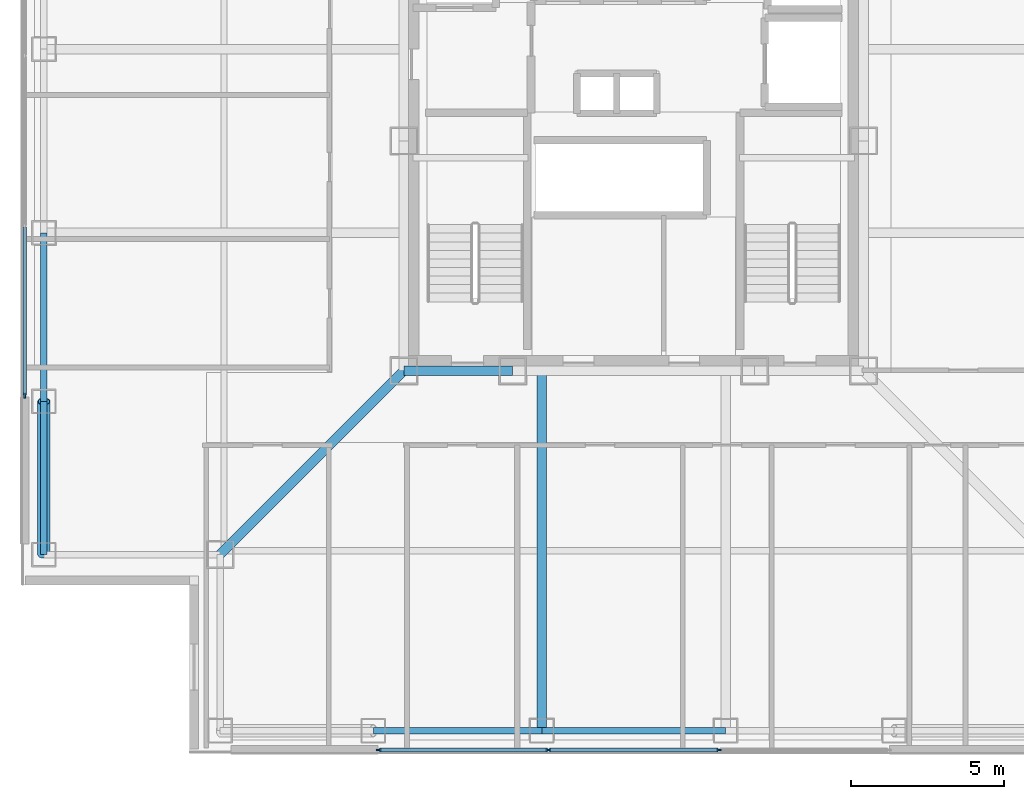
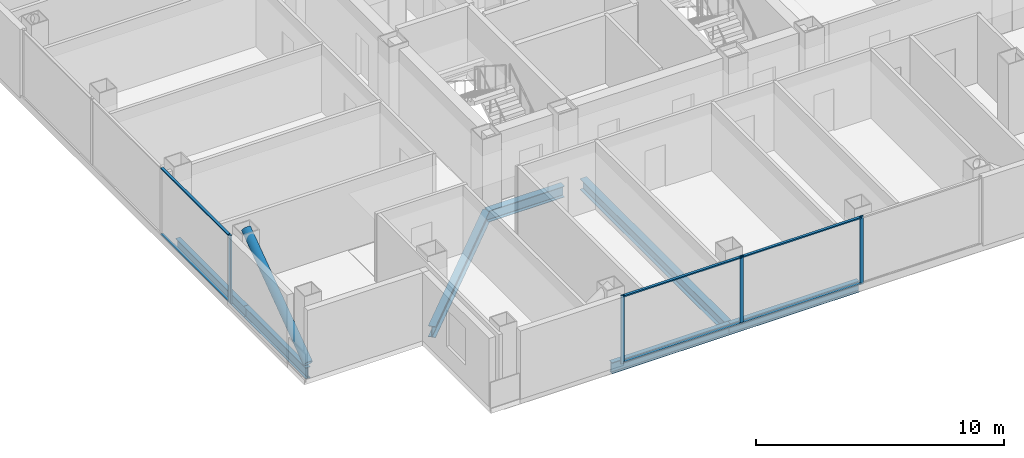
# One storey, part 2 of 17: 11 members, 7 beams, 2 elements without a shape of their own.
"""IFC4 building model written with IfcOpenShell, lengths in metres."""

from ifc_helpers import new_model, si_unit, direction, frame, origin, origin_2d, place, context, subcontext, project, spatial, rectangle, hollow_circle, i_section, extrude, material, layer, layer_set, material_profile, profile_set, type_object, element, aggregate, save


model = new_model("IFC4")

# Units and contexts
model_context = context("Model", 3, precision=1e-05, world=origin(), true_north=direction((0.0, 1.0)))
body_context = subcontext(model_context, "Body", "Model", "MODEL_VIEW")
ifc_project = project(units=[si_unit("LENGTHUNIT", "METRE"), si_unit("AREAUNIT", "SQUARE_METRE"), si_unit("VOLUMEUNIT", "CUBIC_METRE"), si_unit("PLANEANGLEUNIT", "RADIAN"), si_unit("MASSUNIT", "GRAM", prefix="KILO")], contexts=[model_context])

# Site, building, storey
site_placement = place(None, origin())
site = spatial("IfcSite", under=ifc_project, at=site_placement, CompositionType="ELEMENT")
building_placement = place(site_placement, origin())
building = spatial("IfcBuilding", under=site, at=building_placement, Name="Trevonay Congress Spire", CompositionType="ELEMENT")
storey_placement = place(building_placement, frame((0.0, 0.0, 169.800048828125)))
storey = spatial("IfcBuildingStorey", under=building, at=storey_placement, Name="L43", CompositionType="ELEMENT", Elevation=169.800048828125)

# Beams
ifc_material_1 = material(Name="Steel ASTM A572 Grade 50", Category="steel")
ifc_material_profile_1 = material_profile(ifc_material_1, i_section(OverallWidth=0.31201171875, OverallDepth=0.54296875, WebThickness=0.0126953125, FlangeThickness=0.020263671875, FilletRadius=0.014892578125, at=origin_2d()), Name="W530x150")
ifc_profile_set_1 = profile_set([ifc_material_profile_1], Name="Steel ASTM A572 Grade 50")
beam_type_1 = type_object("IfcBeamType", Name="BM-GIRD-W530X150", PredefinedType="BEAM", material=ifc_profile_set_1)
beam_1_placement = place(storey_placement, frame((-7.5, -7.5, -0.511474609375), z_axis=(1.0, 0.0, 0.0), x_axis=(0.0, 1.0, 0.0)))
element("IfcBeam", 1, at=beam_1_placement, inside=storey, type_object=beam_type_1, Name="L43 structural beam BM-L43-CR-S1", PredefinedType="BEAM", context=body_context, shape_type="SweptSolid", body=[
    extrude(i_section(OverallWidth=0.31201171875, OverallDepth=0.54296875, WebThickness=0.0126953125, FlangeThickness=0.020263671875, FilletRadius=0.014892578125, at=origin_2d()), origin(), (0.0, 0.0, 1.0), 3.550048828125),
])
beam_2_placement = place(storey_placement, frame((-7.5, -7.5, -0.511474609375), z_axis=(-0.707106781187, -0.707106781187, 0.0), x_axis=(0.707106781187, -0.707106781187, 0.0)))
element("IfcBeam", 2, at=beam_2_placement, inside=storey, type_object=beam_type_1, Name="L43 structural beam BM-L43-CDSW", PredefinedType="BEAM", context=body_context, shape_type="SweptSolid", body=[
    extrude(i_section(OverallWidth=0.31201171875, OverallDepth=0.54296875, WebThickness=0.0126953125, FlangeThickness=0.020263671875, FilletRadius=0.014892578125, at=origin_2d()), origin(), (0.0, 0.0, 1.0), 8.4853515625),
])
beam_3_placement = place(storey_placement, frame((-3.0, -7.5, -0.511474609375), z_axis=(0.0, -1.0, 0.0), x_axis=(1.0, 0.0, 0.0)))
element("IfcBeam", 3, at=beam_3_placement, inside=storey, type_object=beam_type_1, Name="L43 structural beam BM-L43-GS-M", PredefinedType="BEAM", context=body_context, shape_type="SweptSolid", body=[
    extrude(i_section(OverallWidth=0.31201171875, OverallDepth=0.54296875, WebThickness=0.0126953125, FlangeThickness=0.020263671875, FilletRadius=0.014892578125, at=origin_2d()), origin(), (0.0, 0.0, 1.0), 11.75),
])
ifc_material_profile_2 = material_profile(ifc_material_1, i_section(OverallWidth=0.2119140625, OverallDepth=0.5439453125, WebThickness=0.01318359375, FlangeThickness=0.021240234375, FilletRadius=0.014892578125, at=origin_2d()), Name="W530x123")
ifc_profile_set_2 = profile_set([ifc_material_profile_2], Name="Steel ASTM A572 Grade 50")
beam_type_2 = type_object("IfcBeamType", Name="BM-RING-W530X123", PredefinedType="BEAM", material=ifc_profile_set_2)
beam_4_placement = place(storey_placement, frame((-19.25, -13.5, -0.511962890625), z_axis=(0.0, 1.0, 0.0), x_axis=(-1.0, 0.0, 0.0)))
element("IfcBeam", 4, at=beam_4_placement, inside=storey, type_object=beam_type_2, Name="L43 structural beam BM-L43-PW1", PredefinedType="BEAM", context=body_context, shape_type="SweptSolid", body=[
    extrude(i_section(OverallWidth=0.2119140625, OverallDepth=0.5439453125, WebThickness=0.01318359375, FlangeThickness=0.021240234375, FilletRadius=0.014892578125, at=origin_2d()), origin(), (0.0, 0.0, 1.0), 5.0),
])
for number, where, z_axis, x_axis, name in (
    (5, (-8.5, -19.25, -0.511962890625), (1.0, 0.0, 0.0), (0.0, 1.0, 0.0), "L43 structural beam BM-L43-PS2"),
    (6, (-19.25, -8.5, -0.511962890625), (0.0, 1.0, 0.0), (-1.0, 0.0, 0.0), "L43 structural beam BM-L43-PW2"),
):
    element("IfcBeam", number, at=place(storey_placement, frame(where, z_axis=z_axis, x_axis=x_axis)), inside=storey, type_object=beam_type_2, Name=name, PredefinedType="BEAM", context=body_context, shape_type="SweptSolid", body=[
        extrude(i_section(OverallWidth=0.2119140625, OverallDepth=0.5439453125, WebThickness=0.01318359375, FlangeThickness=0.021240234375, FilletRadius=0.014892578125, at=origin_2d()), origin(), (0.0, 0.0, 1.0), 5.5),
    ])
beam_5_placement = place(storey_placement, frame((-3.0, -19.25, -0.511962890625), z_axis=(1.0, 0.0, 0.0), x_axis=(0.0, 1.0, 0.0)))
element("IfcBeam", 7, at=beam_5_placement, inside=storey, type_object=beam_type_2, Name="L43 structural beam BM-L43-PS3", PredefinedType="BEAM", context=body_context, shape_type="SweptSolid", body=[
    extrude(i_section(OverallWidth=0.2119140625, OverallDepth=0.5439453125, WebThickness=0.01318359375, FlangeThickness=0.021240234375, FilletRadius=0.014892578125, at=origin_2d()), origin(), (0.0, 0.0, 1.0), 6.0),
])

# Curtain wall, members
ifc_material_2 = material(Name="Pale Anodised Aluminium EN AW-6063-T6", Category="aluminium")
ifc_layer = layer(ifc_material_2, 0.169921875, Name="Pale Anodised Aluminium EN AW-6063-T6")
ifc_layer_set = layer_set([ifc_layer], Name="Pale Anodised Aluminium EN AW-6063-T6")
curtain_wall_type = type_object("IfcCurtainWallType", Name="CW-SYS04-CORP-PALE-METAL", PredefinedType="NOTDEFINED", material=ifc_layer_set)
curtain_wall_1_placement = place(storey_placement, origin())
curtain_wall_1 = element("IfcCurtainWall", 8, at=curtain_wall_1_placement, inside=storey, type_object=curtain_wall_type, Name="L43 S unitised curtain wall", PredefinedType="NOTDEFINED")
ifc_material_profile_3 = material_profile(ifc_material_2, rectangle(XDim=0.06005859375, YDim=0.159912109375, at=origin_2d()), Name="CW-MULLION-160-ALUMINIUM")
ifc_profile_set_3 = profile_set([ifc_material_profile_3], Name="Pale Anodised Aluminium EN AW-6063-T6")
member_type_1 = type_object("IfcMemberType", Name="CW-MULLION-160-ALUMINIUM", PredefinedType="MULLION", material=ifc_profile_set_3)
member_1_placement = place(storey_placement, frame((-8.320068359375, -19.8798828125, 0.0), z_axis=(0.0, 0.0, 1.0), x_axis=(0.0, 1.0, 0.0)))
member_1 = element("IfcMember", 9, at=member_1_placement, type_object=member_type_1, Name="CW04 mullion 1", PredefinedType="MULLION", context=body_context, shape_type="SweptSolid", body=[
    extrude(rectangle(XDim=0.06005859375, YDim=0.159912109375, at=origin_2d()), origin(), (0.0, 0.0, 1.0), 3.35986328125),
])
member_2_placement = place(storey_placement, frame((-2.783447265625, -19.8798828125, 0.0), z_axis=(0.0, 0.0, 1.0), x_axis=(0.0, 1.0, 0.0)))
member_2 = element("IfcMember", 10, at=member_2_placement, type_object=member_type_1, Name="CW04 mullion 2", PredefinedType="MULLION", context=body_context, shape_type="SweptSolid", body=[
    extrude(rectangle(XDim=0.06005859375, YDim=0.159912109375, at=origin_2d()), origin(), (0.0, 0.0, 1.0), 3.35986328125),
])
member_3_placement = place(storey_placement, frame((2.783447265625, -19.8798828125, 0.0), z_axis=(0.0, 0.0, 1.0), x_axis=(0.0, 1.0, 0.0)))
member_3 = element("IfcMember", 11, at=member_3_placement, type_object=member_type_1, Name="CW04 mullion 3", PredefinedType="MULLION", context=body_context, shape_type="SweptSolid", body=[
    extrude(rectangle(XDim=0.06005859375, YDim=0.159912109375, at=origin_2d()), origin(), (0.0, 0.0, 1.0), 3.35986328125),
])

# Curtain wall, member
curtain_wall_2_placement = place(storey_placement, origin())
curtain_wall_2 = element("IfcCurtainWall", 12, at=curtain_wall_2_placement, inside=storey, type_object=curtain_wall_type, Name="L43 W unitised curtain wall", PredefinedType="NOTDEFINED")
member_4_placement = place(storey_placement, frame((-19.8798828125, -8.320068359375, 0.0), z_axis=(0.0, 0.0, 1.0), x_axis=(-1.0, 0.0, 0.0)))
member_4 = element("IfcMember", 13, at=member_4_placement, type_object=member_type_1, Name="CW04 mullion 1", PredefinedType="MULLION", context=body_context, shape_type="SweptSolid", body=[
    extrude(rectangle(XDim=0.06005859375, YDim=0.159912109375, at=origin_2d()), origin(), (0.0, 0.0, 1.0), 3.35986328125),
])

# Member
ifc_material_profile_4 = material_profile(ifc_material_2, rectangle(XDim=0.1201171875, YDim=0.06005859375, at=origin_2d()), Name="CW-TRANSOM-120-ALUMINIUM")
ifc_profile_set_4 = profile_set([ifc_material_profile_4], Name="Pale Anodised Aluminium EN AW-6063-T6")
member_type_2 = type_object("IfcMemberType", Name="CW-TRANSOM-120-ALUMINIUM", PredefinedType="USERDEFINED", material=ifc_profile_set_4)
member_5_placement = place(storey_placement, frame((-8.2900390625, -19.8798828125, 0.06005859375), z_axis=(1.0, 0.0, 0.0), x_axis=(0.0, 1.0, 0.0)))
member_5 = element("IfcMember", 14, at=member_5_placement, type_object=member_type_2, Name="CW04 transom 1.1", ObjectType="TRANSOM", PredefinedType="USERDEFINED", context=body_context, shape_type="SweptSolid", body=[
    extrude(rectangle(XDim=0.1201171875, YDim=0.06005859375, at=origin_2d()), origin(), (0.0, 0.0, 1.0), 5.476806640625),
])

member_6_placement = place(storey_placement, frame((-8.2900390625, -19.8798828125, 3.300048828125), z_axis=(1.0, 0.0, 0.0), x_axis=(0.0, 1.0, 0.0)))
member_6 = element("IfcMember", 15, at=member_6_placement, type_object=member_type_2, Name="CW04 transom 1.2", ObjectType="TRANSOM", PredefinedType="USERDEFINED", context=body_context, shape_type="SweptSolid", body=[
    extrude(rectangle(XDim=0.1201171875, YDim=0.06005859375, at=origin_2d()), origin(), (0.0, 0.0, 1.0), 5.476806640625),
])

member_7_placement = place(storey_placement, frame((-2.75341796875, -19.8798828125, 0.06005859375), z_axis=(1.0, 0.0, 0.0), x_axis=(0.0, 1.0, 0.0)))
member_7 = element("IfcMember", 16, at=member_7_placement, type_object=member_type_2, Name="CW04 transom 2.1", ObjectType="TRANSOM", PredefinedType="USERDEFINED", context=body_context, shape_type="SweptSolid", body=[
    extrude(rectangle(XDim=0.1201171875, YDim=0.06005859375, at=origin_2d()), origin(), (0.0, 0.0, 1.0), 5.5068359375),
])

member_8_placement = place(storey_placement, frame((-2.75341796875, -19.8798828125, 3.300048828125), z_axis=(1.0, 0.0, 0.0), x_axis=(0.0, 1.0, 0.0)))
member_8 = element("IfcMember", 17, at=member_8_placement, type_object=member_type_2, Name="CW04 transom 2.2", ObjectType="TRANSOM", PredefinedType="USERDEFINED", context=body_context, shape_type="SweptSolid", body=[
    extrude(rectangle(XDim=0.1201171875, YDim=0.06005859375, at=origin_2d()), origin(), (0.0, 0.0, 1.0), 5.5068359375),
])

aggregate(curtain_wall_1, [member_1, member_2, member_3, member_5, member_6, member_7, member_8])

member_9_placement = place(storey_placement, frame((-19.8798828125, -8.2900390625, 0.06005859375), z_axis=(0.0, 1.0, 0.0), x_axis=(-1.0, 0.0, 0.0)))
member_9 = element("IfcMember", 18, at=member_9_placement, type_object=member_type_2, Name="CW04 transom 1.1", ObjectType="TRANSOM", PredefinedType="USERDEFINED", context=body_context, shape_type="SweptSolid", body=[
    extrude(rectangle(XDim=0.1201171875, YDim=0.06005859375, at=origin_2d()), origin(), (0.0, 0.0, 1.0), 5.476806640625),
])

member_10_placement = place(storey_placement, frame((-19.8798828125, -8.2900390625, 3.300048828125), z_axis=(0.0, 1.0, 0.0), x_axis=(-1.0, 0.0, 0.0)))
member_10 = element("IfcMember", 19, at=member_10_placement, type_object=member_type_2, Name="CW04 transom 1.2", ObjectType="TRANSOM", PredefinedType="USERDEFINED", context=body_context, shape_type="SweptSolid", body=[
    extrude(rectangle(XDim=0.1201171875, YDim=0.06005859375, at=origin_2d()), origin(), (0.0, 0.0, 1.0), 5.476806640625),
])

aggregate(curtain_wall_2, [member_4, member_9, member_10])

ifc_material_3 = material(Name="Steel ASTM A500 Grade C", Category="steel")
ifc_material_profile_5 = material_profile(ifc_material_3, hollow_circle(Radius=0.203125, WallThickness=0.02001953125, at=origin_2d()), Name="CHS 406.4x20")
ifc_profile_set_5 = profile_set([ifc_material_profile_5], Name="Steel ASTM A500 Grade C")
member_type_3 = type_object("IfcMemberType", Name="MBR-TUBE-CHS406", PredefinedType="BRACE", material=ifc_profile_set_5)
member_11_placement = place(storey_placement, frame((-19.25, -13.5, -0.050048828125), z_axis=(0.0, 0.811526825515, 0.584315164504), x_axis=(-1.0, 0.0, 0.0)))
element("IfcMember", 20, at=member_11_placement, inside=storey, type_object=member_type_3, Name="L43 perimeter braced-tube diagonal W0", PredefinedType="BRACE", context=body_context, shape_type="SweptSolid", body=[
    extrude(hollow_circle(Radius=0.203125, WallThickness=0.02001953125, at=origin_2d()), origin(), (0.0, 0.0, 1.0), 6.1611328125),
])

save(model, "model.ifc")
